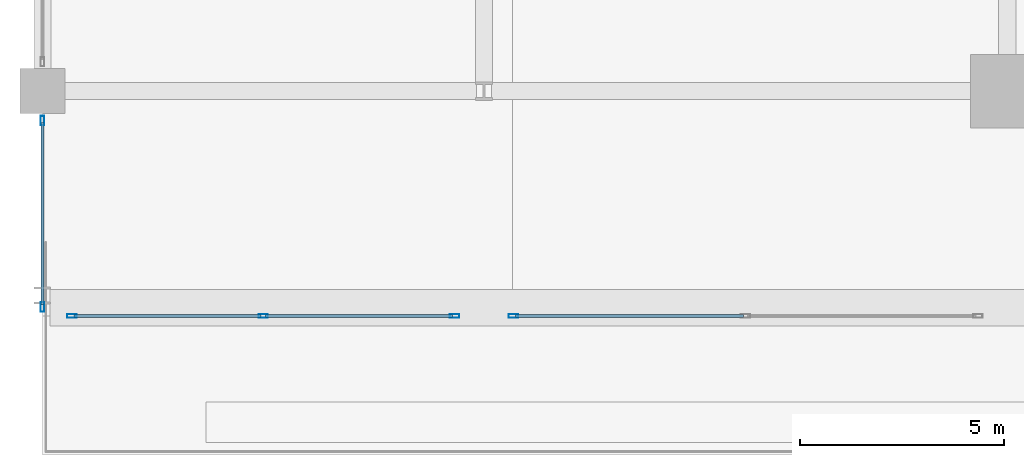
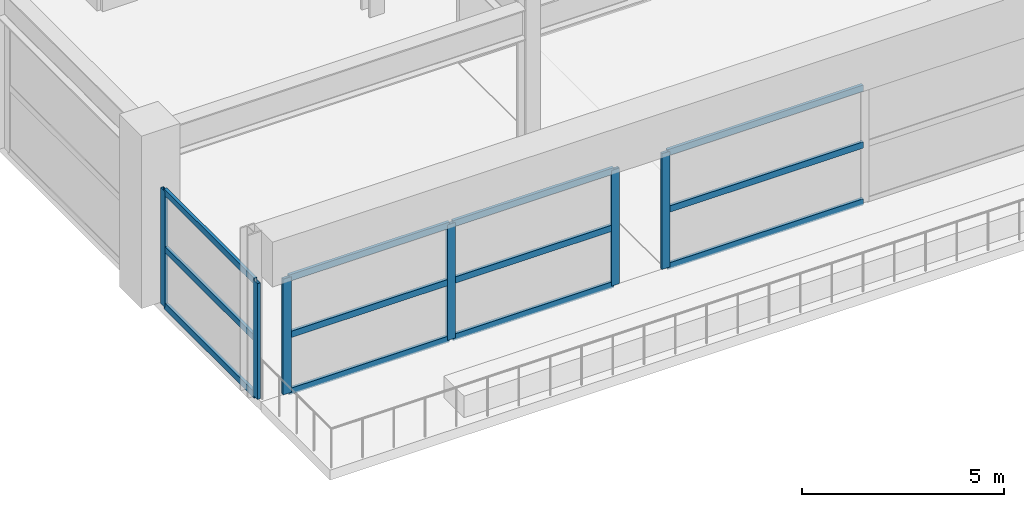
# One storey, part 4 of 43: 18 members, 3 elements without a shape of their own.
"""IFC4 building model written with IfcOpenShell, lengths in metres."""

from ifc_helpers import new_model, si_unit, direction, frame, origin, origin_2d, place, context, subcontext, project, spatial, hollow_rectangle, extrude, material, material_profile, profile_set, type_object, element, aggregate, save


model = new_model("IFC4")

# Units and contexts
model_context = context("Model", 3, precision=1e-05, world=origin(), true_north=direction((0.0, 1.0)))
body_context = subcontext(model_context, "Body", "Model", "MODEL_VIEW")
ifc_project = project(units=[si_unit("LENGTHUNIT", "METRE"), si_unit("AREAUNIT", "SQUARE_METRE"), si_unit("VOLUMEUNIT", "CUBIC_METRE"), si_unit("PLANEANGLEUNIT", "RADIAN"), si_unit("MASSUNIT", "GRAM", prefix="KILO")], contexts=[model_context])

# Site, building, storey
site_placement = place(None, origin())
site = spatial("IfcSite", under=ifc_project, at=site_placement, CompositionType="ELEMENT")
building_placement = place(site_placement, origin())
building = spatial("IfcBuilding", under=site, at=building_placement, Name="Kovane Verandah Tower", CompositionType="ELEMENT")
storey_placement = place(building_placement, frame((0.0, 0.0, 11.199951171875)))
storey = spatial("IfcBuildingStorey", under=building, at=storey_placement, Name="L02", CompositionType="ELEMENT", Elevation=11.199951171875)

# Curtain wall, members
ifc_material_1 = material(Name="Champagne Anodised Aluminium Frame with Low-E Clear Laminated Glass", Category="aluminium")
curtain_wall_type = type_object("IfcCurtainWallType", Name="CW-SYS-01-POD", PredefinedType="NOTDEFINED", material=ifc_material_1)
curtain_wall_1_placement = place(storey_placement, origin())
curtain_wall_1 = element("IfcCurtainWall", 1, at=curtain_wall_1_placement, inside=storey, type_object=curtain_wall_type, Name="L02 South Podium Curtain Wall Bay 1.1", PredefinedType="NOTDEFINED")
ifc_material_2 = material(Name="Champagne Anodised Aluminium 6063-T6", Category="aluminium")
ifc_material_profile_1 = material_profile(ifc_material_2, hollow_rectangle(XDim=0.0849609375, YDim=0.22998046875, WallThickness=0.00390625, at=origin_2d()), Name="AL85x230x4")
ifc_profile_set_1 = profile_set([ifc_material_profile_1], Name="Champagne Anodised Aluminium 6063-T6")
member_type_1 = type_object("IfcMemberType", Name="CW-MUL-85x230", PredefinedType="MULLION", material=ifc_profile_set_1)
member_1_placement = place(storey_placement, frame((-1.280029296875, 5.300048828125, 0.02001953125), z_axis=(0.0, 0.0, 1.0), x_axis=(0.0, -1.0, 0.0)))
member_1 = element("IfcMember", 2, at=member_1_placement, type_object=member_type_1, Name="L02 South Podium Curtain Wall Bay 1.1 Mullion 1", PredefinedType="MULLION", context=body_context, shape_type="SweptSolid", body=[
    extrude(hollow_rectangle(XDim=0.0849609375, YDim=0.22998046875, WallThickness=0.00390625, at=origin_2d()), origin(), (0.0, 0.0, 1.0), 3.489990234375),
])
member_2_placement = place(storey_placement, frame((3.39990234375, 5.300048828125, 0.02001953125), z_axis=(0.0, 0.0, 1.0), x_axis=(0.0, -1.0, 0.0)))
member_2 = element("IfcMember", 3, at=member_2_placement, type_object=member_type_1, Name="L02 South Podium Curtain Wall Bay 1.1 Mullion 2", PredefinedType="MULLION", context=body_context, shape_type="SweptSolid", body=[
    extrude(hollow_rectangle(XDim=0.0849609375, YDim=0.22998046875, WallThickness=0.00390625, at=origin_2d()), origin(), (0.0, 0.0, 1.0), 3.489990234375),
])
member_3_placement = place(storey_placement, frame((8.080078125, 5.300048828125, 0.02001953125), z_axis=(0.0, 0.0, 1.0), x_axis=(0.0, -1.0, 0.0)))
member_3 = element("IfcMember", 4, at=member_3_placement, type_object=member_type_1, Name="L02 South Podium Curtain Wall Bay 1.1 Mullion 3", PredefinedType="MULLION", context=body_context, shape_type="SweptSolid", body=[
    extrude(hollow_rectangle(XDim=0.0849609375, YDim=0.22998046875, WallThickness=0.00390625, at=origin_2d()), origin(), (0.0, 0.0, 1.0), 3.489990234375),
])

# Curtain wall, member
curtain_wall_2_placement = place(storey_placement, origin())
curtain_wall_2 = element("IfcCurtainWall", 5, at=curtain_wall_2_placement, inside=storey, type_object=curtain_wall_type, Name="L02 South Podium Curtain Wall Bay 2.1", PredefinedType="NOTDEFINED")
member_4_placement = place(storey_placement, frame((9.52001953125, 5.300048828125, 0.02001953125), z_axis=(0.0, 0.0, 1.0), x_axis=(0.0, -1.0, 0.0)))
member_4 = element("IfcMember", 6, at=member_4_placement, type_object=member_type_1, Name="L02 South Podium Curtain Wall Bay 2.1 Mullion 1", PredefinedType="MULLION", context=body_context, shape_type="SweptSolid", body=[
    extrude(hollow_rectangle(XDim=0.0849609375, YDim=0.22998046875, WallThickness=0.00390625, at=origin_2d()), origin(), (0.0, 0.0, 1.0), 3.489990234375),
])

# Curtain wall, members
curtain_wall_3_placement = place(storey_placement, origin())
curtain_wall_3 = element("IfcCurtainWall", 7, at=curtain_wall_3_placement, inside=storey, type_object=curtain_wall_type, Name="L02 West Podium Curtain Wall Bay 1", PredefinedType="NOTDEFINED")
member_5_placement = place(storey_placement, frame((-2.0, 10.080078125, 0.02001953125), z_axis=(0.0, 0.0, 1.0), x_axis=(-1.0, 0.0, 0.0)))
member_5 = element("IfcMember", 8, at=member_5_placement, type_object=member_type_1, Name="L02 West Podium Curtain Wall Bay 1 Mullion 1", PredefinedType="MULLION", context=body_context, shape_type="SweptSolid", body=[
    extrude(hollow_rectangle(XDim=0.0849609375, YDim=0.22998046875, WallThickness=0.00390625, at=origin_2d()), origin(), (0.0, 0.0, 1.0), 3.489990234375),
])
member_6_placement = place(storey_placement, frame((-2.0, 5.52001953125, 0.02001953125), z_axis=(0.0, 0.0, 1.0), x_axis=(-1.0, 0.0, 0.0)))
member_6 = element("IfcMember", 9, at=member_6_placement, type_object=member_type_1, Name="L02 West Podium Curtain Wall Bay 1 Mullion 2", PredefinedType="MULLION", context=body_context, shape_type="SweptSolid", body=[
    extrude(hollow_rectangle(XDim=0.0849609375, YDim=0.22998046875, WallThickness=0.00390625, at=origin_2d()), origin(), (0.0, 0.0, 1.0), 3.489990234375),
])

# Member
ifc_material_profile_2 = material_profile(ifc_material_2, hollow_rectangle(XDim=0.0849609375, YDim=0.18994140625, WallThickness=0.00390625, at=origin_2d()), Name="AL85x190x4")
ifc_profile_set_2 = profile_set([ifc_material_profile_2], Name="Champagne Anodised Aluminium 6063-T6")
member_type_2 = type_object("IfcMemberType", Name="CW-TRN-85x190", PredefinedType="USERDEFINED", material=ifc_profile_set_2)
member_7_placement = place(storey_placement, frame((-1.22998046875, 5.300048828125, 0.050048828125), z_axis=(1.0, 0.0, 0.0), x_axis=(0.0, 1.0, 0.0)))
member_7 = element("IfcMember", 10, at=member_7_placement, type_object=member_type_2, Name="L02 South Podium Curtain Wall Bay 1.1 Transom TB Bay 1", ObjectType="TRANSOM", PredefinedType="USERDEFINED", context=body_context, shape_type="SweptSolid", body=[
    extrude(hollow_rectangle(XDim=0.0849609375, YDim=0.18994140625, WallThickness=0.00390625, at=origin_2d()), origin(), (0.0, 0.0, 1.0), 4.580078125),
])

member_8_placement = place(storey_placement, frame((-1.22998046875, 5.300048828125, 1.76513671875), z_axis=(1.0, 0.0, 0.0), x_axis=(0.0, 1.0, 0.0)))
member_8 = element("IfcMember", 11, at=member_8_placement, type_object=member_type_2, Name="L02 South Podium Curtain Wall Bay 1.1 Transom TM Bay 1", ObjectType="TRANSOM", PredefinedType="USERDEFINED", context=body_context, shape_type="SweptSolid", body=[
    extrude(hollow_rectangle(XDim=0.0849609375, YDim=0.18994140625, WallThickness=0.00390625, at=origin_2d()), origin(), (0.0, 0.0, 1.0), 4.580078125),
])

member_9_placement = place(storey_placement, frame((-1.22998046875, 5.300048828125, 3.47998046875), z_axis=(1.0, 0.0, 0.0), x_axis=(0.0, 1.0, 0.0)))
member_9 = element("IfcMember", 12, at=member_9_placement, type_object=member_type_2, Name="L02 South Podium Curtain Wall Bay 1.1 Transom TT Bay 1", ObjectType="TRANSOM", PredefinedType="USERDEFINED", context=body_context, shape_type="SweptSolid", body=[
    extrude(hollow_rectangle(XDim=0.0849609375, YDim=0.18994140625, WallThickness=0.00390625, at=origin_2d()), origin(), (0.0, 0.0, 1.0), 4.580078125),
])

member_10_placement = place(storey_placement, frame((3.449951171875, 5.300048828125, 0.050048828125), z_axis=(1.0, 0.0, 0.0), x_axis=(0.0, 1.0, 0.0)))
member_10 = element("IfcMember", 13, at=member_10_placement, type_object=member_type_2, Name="L02 South Podium Curtain Wall Bay 1.1 Transom TB Bay 2", ObjectType="TRANSOM", PredefinedType="USERDEFINED", context=body_context, shape_type="SweptSolid", body=[
    extrude(hollow_rectangle(XDim=0.0849609375, YDim=0.18994140625, WallThickness=0.00390625, at=origin_2d()), origin(), (0.0, 0.0, 1.0), 4.580078125),
])

member_11_placement = place(storey_placement, frame((3.449951171875, 5.300048828125, 1.76513671875), z_axis=(1.0, 0.0, 0.0), x_axis=(0.0, 1.0, 0.0)))
member_11 = element("IfcMember", 14, at=member_11_placement, type_object=member_type_2, Name="L02 South Podium Curtain Wall Bay 1.1 Transom TM Bay 2", ObjectType="TRANSOM", PredefinedType="USERDEFINED", context=body_context, shape_type="SweptSolid", body=[
    extrude(hollow_rectangle(XDim=0.0849609375, YDim=0.18994140625, WallThickness=0.00390625, at=origin_2d()), origin(), (0.0, 0.0, 1.0), 4.580078125),
])

member_12_placement = place(storey_placement, frame((3.449951171875, 5.300048828125, 3.47998046875), z_axis=(1.0, 0.0, 0.0), x_axis=(0.0, 1.0, 0.0)))
member_12 = element("IfcMember", 15, at=member_12_placement, type_object=member_type_2, Name="L02 South Podium Curtain Wall Bay 1.1 Transom TT Bay 2", ObjectType="TRANSOM", PredefinedType="USERDEFINED", context=body_context, shape_type="SweptSolid", body=[
    extrude(hollow_rectangle(XDim=0.0849609375, YDim=0.18994140625, WallThickness=0.00390625, at=origin_2d()), origin(), (0.0, 0.0, 1.0), 4.580078125),
])

aggregate(curtain_wall_1, [member_1, member_2, member_3, member_7, member_8, member_9, member_10, member_11, member_12])

member_13_placement = place(storey_placement, frame((9.570068359375, 5.300048828125, 0.050048828125), z_axis=(1.0, 0.0, 0.0), x_axis=(0.0, 1.0, 0.0)))
member_13 = element("IfcMember", 16, at=member_13_placement, type_object=member_type_2, Name="L02 South Podium Curtain Wall Bay 2.1 Transom TB Bay 1", ObjectType="TRANSOM", PredefinedType="USERDEFINED", context=body_context, shape_type="SweptSolid", body=[
    extrude(hollow_rectangle(XDim=0.0849609375, YDim=0.18994140625, WallThickness=0.00390625, at=origin_2d()), origin(), (0.0, 0.0, 1.0), 5.579833984375),
])

member_14_placement = place(storey_placement, frame((9.570068359375, 5.300048828125, 1.76513671875), z_axis=(1.0, 0.0, 0.0), x_axis=(0.0, 1.0, 0.0)))
member_14 = element("IfcMember", 17, at=member_14_placement, type_object=member_type_2, Name="L02 South Podium Curtain Wall Bay 2.1 Transom TM Bay 1", ObjectType="TRANSOM", PredefinedType="USERDEFINED", context=body_context, shape_type="SweptSolid", body=[
    extrude(hollow_rectangle(XDim=0.0849609375, YDim=0.18994140625, WallThickness=0.00390625, at=origin_2d()), origin(), (0.0, 0.0, 1.0), 5.579833984375),
])

member_15_placement = place(storey_placement, frame((9.570068359375, 5.300048828125, 3.47998046875), z_axis=(1.0, 0.0, 0.0), x_axis=(0.0, 1.0, 0.0)))
member_15 = element("IfcMember", 18, at=member_15_placement, type_object=member_type_2, Name="L02 South Podium Curtain Wall Bay 2.1 Transom TT Bay 1", ObjectType="TRANSOM", PredefinedType="USERDEFINED", context=body_context, shape_type="SweptSolid", body=[
    extrude(hollow_rectangle(XDim=0.0849609375, YDim=0.18994140625, WallThickness=0.00390625, at=origin_2d()), origin(), (0.0, 0.0, 1.0), 5.579833984375),
])

aggregate(curtain_wall_2, [member_4, member_13, member_14, member_15])

member_16_placement = place(storey_placement, frame((-2.0, 10.030029296875, 0.050048828125), z_axis=(0.0, -1.0, 0.0), x_axis=(1.0, 0.0, 0.0)))
member_16 = element("IfcMember", 19, at=member_16_placement, type_object=member_type_2, Name="L02 West Podium Curtain Wall Bay 1 Transom TB Bay 1", ObjectType="TRANSOM", PredefinedType="USERDEFINED", context=body_context, shape_type="SweptSolid", body=[
    extrude(hollow_rectangle(XDim=0.0849609375, YDim=0.18994140625, WallThickness=0.00390625, at=origin_2d()), origin(), (0.0, 0.0, 1.0), 4.4599609375),
])

member_17_placement = place(storey_placement, frame((-2.0, 10.030029296875, 1.76513671875), z_axis=(0.0, -1.0, 0.0), x_axis=(1.0, 0.0, 0.0)))
member_17 = element("IfcMember", 20, at=member_17_placement, type_object=member_type_2, Name="L02 West Podium Curtain Wall Bay 1 Transom TM Bay 1", ObjectType="TRANSOM", PredefinedType="USERDEFINED", context=body_context, shape_type="SweptSolid", body=[
    extrude(hollow_rectangle(XDim=0.0849609375, YDim=0.18994140625, WallThickness=0.00390625, at=origin_2d()), origin(), (0.0, 0.0, 1.0), 4.4599609375),
])

member_18_placement = place(storey_placement, frame((-2.0, 10.030029296875, 3.47998046875), z_axis=(0.0, -1.0, 0.0), x_axis=(1.0, 0.0, 0.0)))
member_18 = element("IfcMember", 21, at=member_18_placement, type_object=member_type_2, Name="L02 West Podium Curtain Wall Bay 1 Transom TT Bay 1", ObjectType="TRANSOM", PredefinedType="USERDEFINED", context=body_context, shape_type="SweptSolid", body=[
    extrude(hollow_rectangle(XDim=0.0849609375, YDim=0.18994140625, WallThickness=0.00390625, at=origin_2d()), origin(), (0.0, 0.0, 1.0), 4.4599609375),
])

aggregate(curtain_wall_3, [member_5, member_6, member_16, member_17, member_18])

save(model, "model.ifc")
